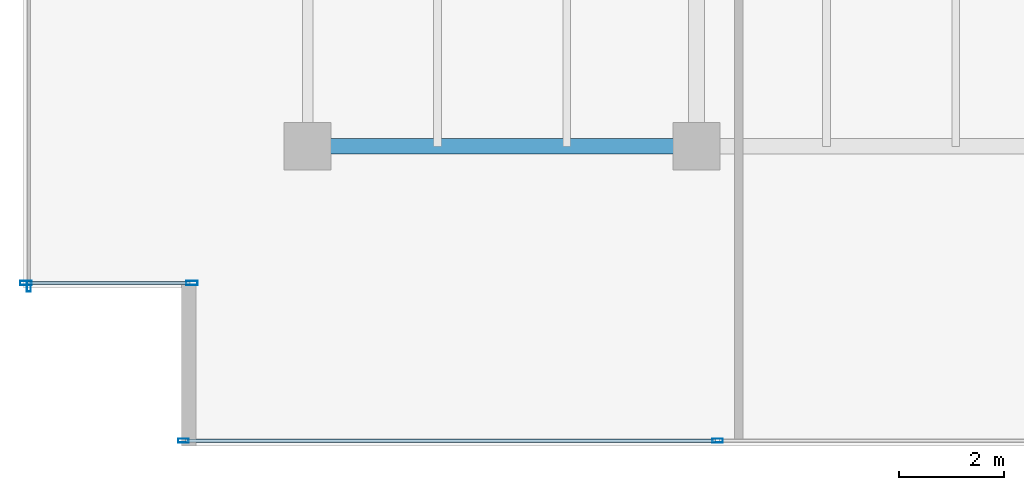
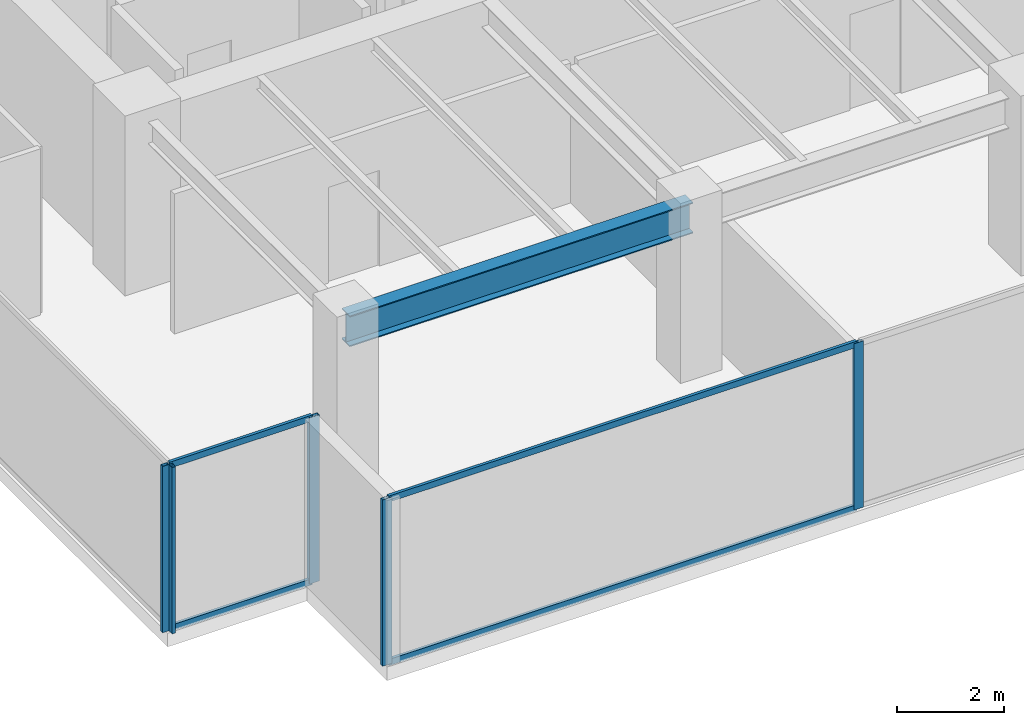
# One storey, part 2 of 30: 9 members, 1 beam, 3 elements without a shape of their own.
"""IFC4 building model written with IfcOpenShell, lengths in metres."""

from ifc_helpers import new_model, si_unit, direction, frame, origin, origin_2d, place, context, subcontext, project, spatial, hollow_rectangle, i_section, extrude, source, transform, mapped, material, layer, layer_set, material_profile, profile_set, type_object, type_shapes, element, aggregate, save


model = new_model("IFC4")

# Units and contexts
model_context = context("Model", 3, precision=1e-05, world=origin(), true_north=direction((0.0, 1.0)))
body_context = subcontext(model_context, "Body", "Model", "MODEL_VIEW")
ifc_project = project(units=[si_unit("LENGTHUNIT", "METRE"), si_unit("AREAUNIT", "SQUARE_METRE"), si_unit("VOLUMEUNIT", "CUBIC_METRE"), si_unit("PLANEANGLEUNIT", "RADIAN"), si_unit("MASSUNIT", "GRAM", prefix="KILO")], contexts=[model_context])

# Site, building, storey
site_placement = place(None, origin())
site = spatial("IfcSite", under=ifc_project, at=site_placement, CompositionType="ELEMENT")
building_placement = place(site_placement, origin())
building = spatial("IfcBuilding", under=site, at=building_placement, Name="Haelvirn Gate Laboratories", CompositionType="ELEMENT")
storey_placement = place(building_placement, frame((0.0, 0.0, 183.0)))
storey = spatial("IfcBuildingStorey", under=building, at=storey_placement, Name="L44", CompositionType="ELEMENT", Elevation=183.0)

# Beam
ifc_material_1 = material(Name="Steel SM355", Category="steel")
ifc_material_profile_1 = material_profile(ifc_material_1, i_section(OverallWidth=0.300048828125, OverallDepth=0.699951171875, WebThickness=0.012939453125, FlangeThickness=0.02392578125, at=origin_2d()), Name="H-700x300x13x24")
ifc_profile_set_1 = profile_set([ifc_material_profile_1], Name="Steel SM355")
beam_type = type_object("IfcBeamType", Name="BM-G-700", PredefinedType="BEAM", material=ifc_profile_set_1)
shared_shape_1 = source(origin(), body_context, "Body", "SweptSolid", [
    extrude(i_section(OverallWidth=0.300048828125, OverallDepth=0.699951171875, WebThickness=0.012939453125, FlangeThickness=0.02392578125, at=origin_2d()), origin(), (0.0, 0.0, 1.0), 7.400146484375),
])
type_shapes(beam_type, [shared_shape_1])
beam_placement = place(storey_placement, frame((7.39990234375, 7.0, 3.43994140625), z_axis=(1.0, 0.0, 0.0), x_axis=(0.0, 1.0, 0.0)))
element("IfcBeam", 1, at=beam_placement, inside=storey, type_object=beam_type, Name="L44 Primary Girder Y7.0 (7.4-14.8)", PredefinedType="BEAM", context=body_context, shape_type="MappedRepresentation", body=[
    mapped(shared_shape_1, transform((0.0, 0.0, 0.0), scale=1.0)),
])

# Curtain wall, members
ifc_material_2 = material(Name="Anodised bronze unitised aluminium & triple low-E glass", Category="aluminium")
ifc_layer_1 = layer(ifc_material_2, 0.179931640625, Name="CW-SYS-3")
ifc_layer_set_1 = layer_set([ifc_layer_1], Name="Anodised bronze unitised aluminium & triple low-E glass")
curtain_wall_type_1 = type_object("IfcCurtainWallType", Name="CW-SYS-3", PredefinedType="NOTDEFINED", material=ifc_layer_set_1)
curtain_wall_1_placement = place(storey_placement, origin())
curtain_wall_1 = element("IfcCurtainWall", 2, at=curtain_wall_1_placement, inside=storey, type_object=curtain_wall_type_1, Name="L44 Unitised Curtain Wall CW-L44-P0-E00-1", PredefinedType="NOTDEFINED")
ifc_material_3 = material(Name="Extruded aluminium 6063-T6 (anodised bronze)", Category="aluminium")
ifc_material_profile_2 = material_profile(ifc_material_3, hollow_rectangle(XDim=0.06494140625, YDim=0.139892578125, WallThickness=0.00390625, at=origin_2d()), Name="CWT-140x65x4")
ifc_profile_set_2 = profile_set([ifc_material_profile_2], Name="Extruded aluminium 6063-T6 (anodised bronze)")
member_type_1 = type_object("IfcMemberType", Name="CWT-T140", PredefinedType="USERDEFINED", material=ifc_profile_set_2)
shared_shape_2 = source(origin(), body_context, "Body", "SweptSolid", [
    extrude(hollow_rectangle(XDim=0.06494140625, YDim=0.139892578125, WallThickness=0.00390625, at=origin_2d()), origin(), (0.0, 0.0, 1.0), 10.087646484375),
])
member_1_placement = place(storey_placement, frame((5.074951171875, 1.39990234375, 0.032470703125), z_axis=(1.0, 0.0, 0.0), x_axis=(0.0, 1.0, 0.0)))
member_1 = element("IfcMember", 3, at=member_1_placement, type_object=member_type_1, Name="CW3 transom 1.1", ObjectType="TRANSOM", PredefinedType="USERDEFINED", context=body_context, shape_type="MappedRepresentation", body=[
    mapped(shared_shape_2, transform((0.0, 0.0, 0.0), scale=1.0)),
])
member_2_placement = place(storey_placement, frame((5.074951171875, 1.39990234375, 3.757568359375), z_axis=(1.0, 0.0, 0.0), x_axis=(0.0, 1.0, 0.0)))
member_2 = element("IfcMember", 4, at=member_2_placement, type_object=member_type_1, Name="CW3 transom 1.2", ObjectType="TRANSOM", PredefinedType="USERDEFINED", context=body_context, shape_type="MappedRepresentation", body=[
    mapped(shared_shape_2, transform((0.0, 0.0, 0.0), scale=1.0)),
])

ifc_layer_2 = layer(ifc_material_2, 0.181884765625, Name="CW-SYS-5")
ifc_layer_set_2 = layer_set([ifc_layer_2], Name="Anodised bronze unitised aluminium & triple low-E glass")
curtain_wall_type_2 = type_object("IfcCurtainWallType", Name="CW-SYS-5", PredefinedType="NOTDEFINED", material=ifc_layer_set_2)
curtain_wall_2_placement = place(storey_placement, origin())
curtain_wall_2 = element("IfcCurtainWall", 5, at=curtain_wall_2_placement, inside=storey, type_object=curtain_wall_type_2, Name="L44 Unitised Curtain Wall CW-L44-P0-E18-1", PredefinedType="NOTDEFINED")
shared_shape_3 = source(origin(), body_context, "Body", "SweptSolid", [
    extrude(hollow_rectangle(XDim=0.06494140625, YDim=0.139892578125, WallThickness=0.00390625, at=origin_2d()), origin(), (0.0, 0.0, 1.0), 3.079833984375),
])
type_shapes(member_type_1, [shared_shape_2, shared_shape_3])
member_3_placement = place(storey_placement, frame((2.080078125, 4.39990234375, 0.032470703125), z_axis=(1.0, 0.0, 0.0), x_axis=(0.0, 1.0, 0.0)))
member_3 = element("IfcMember", 6, at=member_3_placement, type_object=member_type_1, Name="CW5 transom 1.1", ObjectType="TRANSOM", PredefinedType="USERDEFINED", context=body_context, shape_type="MappedRepresentation", body=[
    mapped(shared_shape_3, transform((0.0, 0.0, 0.0), scale=1.0)),
])
member_4_placement = place(storey_placement, frame((2.080078125, 4.39990234375, 3.757568359375), z_axis=(1.0, 0.0, 0.0), x_axis=(0.0, 1.0, 0.0)))
member_4 = element("IfcMember", 7, at=member_4_placement, type_object=member_type_1, Name="CW5 transom 1.2", ObjectType="TRANSOM", PredefinedType="USERDEFINED", context=body_context, shape_type="MappedRepresentation", body=[
    mapped(shared_shape_3, transform((0.0, 0.0, 0.0), scale=1.0)),
])

# Member
ifc_material_profile_3 = material_profile(ifc_material_3, hollow_rectangle(XDim=0.074951171875, YDim=0.199951171875, WallThickness=0.0048828125, at=origin_2d()), Name="CWM-200x75x5")
ifc_profile_set_3 = profile_set([ifc_material_profile_3], Name="Extruded aluminium 6063-T6 (anodised bronze)")
member_type_2 = type_object("IfcMemberType", Name="CWM-T200", PredefinedType="MULLION", material=ifc_profile_set_3)
shared_shape_4 = source(origin(), body_context, "Body", "SweptSolid", [
    extrude(hollow_rectangle(XDim=0.074951171875, YDim=0.199951171875, WallThickness=0.0048828125, at=origin_2d()), origin(), (0.0, 0.0, 1.0), 3.7900390625),
])
type_shapes(member_type_2, [shared_shape_4])
member_5_placement = place(storey_placement, frame((5.03759765625, 1.39990234375, 0.0), z_axis=(0.0, 0.0, 1.0), x_axis=(0.0, 1.0, 0.0)))
member_5 = element("IfcMember", 8, at=member_5_placement, type_object=member_type_2, Name="CW3 mullion 1", PredefinedType="MULLION", context=body_context, shape_type="MappedRepresentation", body=[
    mapped(shared_shape_4, transform((0.0, 0.0, 0.0), scale=1.0)),
])

member_6_placement = place(storey_placement, frame((15.199951171875, 1.39990234375, 0.0), z_axis=(0.0, 0.0, 1.0), x_axis=(0.0, 1.0, 0.0)))
member_6 = element("IfcMember", 9, at=member_6_placement, type_object=member_type_2, Name="CW3 mullion 2", PredefinedType="MULLION", context=body_context, shape_type="MappedRepresentation", body=[
    mapped(shared_shape_4, transform((0.0, 0.0, 0.0), scale=1.0)),
])

aggregate(curtain_wall_1, [member_5, member_6, member_1, member_2])

# Curtain wall, member
curtain_wall_3_placement = place(storey_placement, origin())
curtain_wall_3 = element("IfcCurtainWall", 10, at=curtain_wall_3_placement, inside=storey, type_object=curtain_wall_type_1, Name="L44 Unitised Curtain Wall CW-L44-P0-E17", PredefinedType="NOTDEFINED")
member_7_placement = place(storey_placement, frame((2.10009765625, 4.33740234375, 0.0), z_axis=(0.0, 0.0, 1.0), x_axis=(1.0, 0.0, 0.0)))
member_7 = element("IfcMember", 11, at=member_7_placement, type_object=member_type_2, Name="CW3 mullion 4", PredefinedType="MULLION", context=body_context, shape_type="MappedRepresentation", body=[
    mapped(shared_shape_4, transform((0.0, 0.0, 0.0), scale=1.0)),
])
aggregate(curtain_wall_3, [member_7])

# Member
ifc_material_profile_4 = material_profile(ifc_material_3, hollow_rectangle(XDim=0.080078125, YDim=0.219970703125, WallThickness=0.006103515625, at=origin_2d()), Name="CWM-220x80x6")
ifc_profile_set_4 = profile_set([ifc_material_profile_4], Name="Extruded aluminium 6063-T6 (anodised bronze)")
member_type_3 = type_object("IfcMemberType", Name="CWM-T220", PredefinedType="MULLION", material=ifc_profile_set_4)
shared_shape_5 = source(origin(), body_context, "Body", "SweptSolid", [
    extrude(hollow_rectangle(XDim=0.080078125, YDim=0.219970703125, WallThickness=0.006103515625, at=origin_2d()), origin(), (0.0, 0.0, 1.0), 3.7900390625),
])
type_shapes(member_type_3, [shared_shape_5])
member_8_placement = place(storey_placement, frame((2.0400390625, 4.39990234375, 0.0), z_axis=(0.0, 0.0, 1.0), x_axis=(0.0, 1.0, 0.0)))
member_8 = element("IfcMember", 12, at=member_8_placement, type_object=member_type_3, Name="CW5 mullion 1", PredefinedType="MULLION", context=body_context, shape_type="MappedRepresentation", body=[
    mapped(shared_shape_5, transform((0.0, 0.0, 0.0), scale=1.0)),
])

member_9_placement = place(storey_placement, frame((5.199951171875, 4.39990234375, 0.0), z_axis=(0.0, 0.0, 1.0), x_axis=(0.0, 1.0, 0.0)))
member_9 = element("IfcMember", 13, at=member_9_placement, type_object=member_type_3, Name="CW5 mullion 2", PredefinedType="MULLION", context=body_context, shape_type="MappedRepresentation", body=[
    mapped(shared_shape_5, transform((0.0, 0.0, 0.0), scale=1.0)),
])

aggregate(curtain_wall_2, [member_8, member_9, member_3, member_4])

save(model, "model.ifc")
